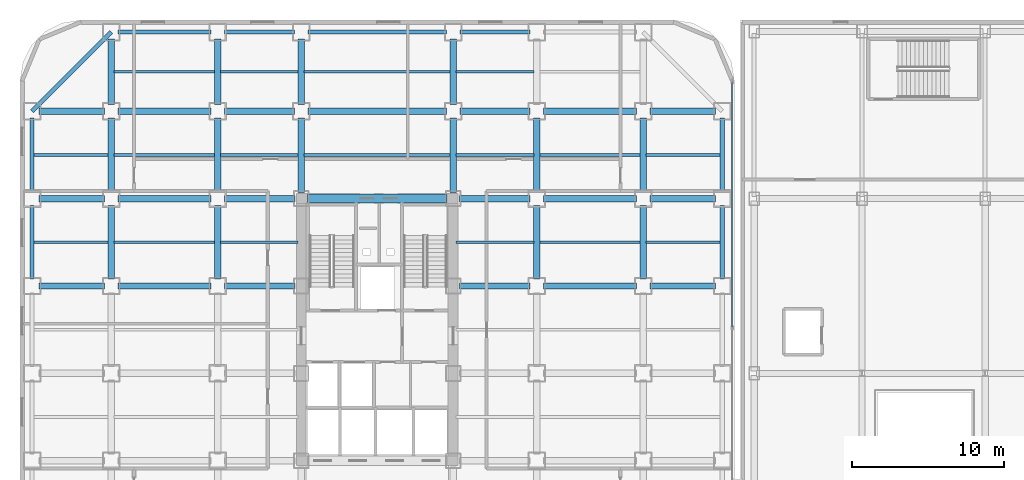
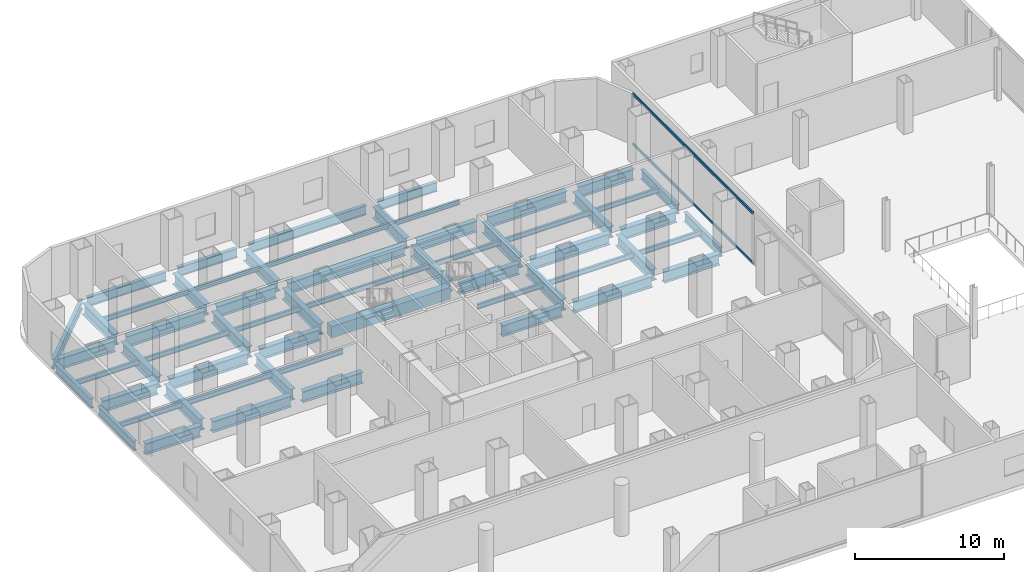
# One storey, part 13 of 26: 60 beams, 2 members, 1 element without a shape of its own.
"""IFC4 building model written with IfcOpenShell, lengths in metres."""

from ifc_helpers import new_model, si_unit, direction, frame, origin, origin_2d, place, context, subcontext, project, spatial, rectangle, hollow_rectangle, i_section, extrude, source, transform, mapped, material, layer, layer_set, material_profile, profile_set, type_object, element, aggregate, save


model = new_model("IFC4")

# Units and contexts
model_context = context("Model", 3, precision=1e-05, world=origin(), true_north=direction((0.0, 1.0)))
body_context = subcontext(model_context, "Body", "Model", "MODEL_VIEW")
ifc_project = project(units=[si_unit("LENGTHUNIT", "METRE"), si_unit("AREAUNIT", "SQUARE_METRE"), si_unit("VOLUMEUNIT", "CUBIC_METRE"), si_unit("PLANEANGLEUNIT", "RADIAN"), si_unit("MASSUNIT", "GRAM", prefix="KILO")], contexts=[model_context])

# Site, building, storey
site_placement = place(None, origin())
site = spatial("IfcSite", under=ifc_project, at=site_placement, CompositionType="ELEMENT")
building_placement = place(site_placement, origin())
building = spatial("IfcBuilding", under=site, at=building_placement, Name="Kolveth Station Tower", CompositionType="ELEMENT")
storey_placement = place(building_placement, frame((0.0, 0.0, 9.0)))
storey = spatial("IfcBuildingStorey", under=building, at=storey_placement, Name="L02", CompositionType="ELEMENT", Elevation=9.0)

# Beams
ifc_material_1 = material(Name="Steel S355", Category="steel")
ifc_material_profile_1 = material_profile(ifc_material_1, i_section(OverallWidth=0.26904296875, OverallDepth=0.77490234375, WebThickness=0.01708984375, FlangeThickness=0.0283203125, at=origin_2d()), Name="W760x220")
ifc_profile_set_1 = profile_set([ifc_material_profile_1], Name="Steel S355")
beam_type_1 = type_object("IfcBeamType", Name="Beam_SP1", PredefinedType="SPANDREL", material=ifc_profile_set_1)
shared_shape_1 = source(origin(), body_context, "Body", "SweptSolid", [
    extrude(i_section(OverallWidth=0.26904296875, OverallDepth=0.77490234375, WebThickness=0.01708984375, FlangeThickness=0.0283203125, at=origin_2d()), origin(), (0.0, 0.0, 1.0), 6.10009765625),
])
beam_1_placement = place(storey_placement, frame((6.449951171875, 39.699951171875, -0.70751953125), z_axis=(1.0, 0.0, 0.0), x_axis=(0.0, 1.0, 0.0)))
element("IfcBeam", 1, at=beam_1_placement, inside=storey, type_object=beam_type_1, Name="L02 Perimeter Spandrel BM-L02-PN-1", PredefinedType="SPANDREL", context=body_context, shape_type="MappedRepresentation", body=[
    mapped(shared_shape_1, transform((0.0, 0.0, 0.0), x_axis=(1.0, 0.0, 0.0), y_axis=(0.0, 1.0, 0.0), z_axis=(0.0, 0.0, 1.0), scale=1.0)),
])
shared_shape_2 = source(origin(), body_context, "Body", "SweptSolid", [
    extrude(i_section(OverallWidth=0.26904296875, OverallDepth=0.77490234375, WebThickness=0.01708984375, FlangeThickness=0.0283203125, at=origin_2d()), origin(), (0.0, 0.0, 1.0), 4.60009765625),
])
for number, where, z_axis, x_axis, name in (
    (2, (13.449951171875, 39.699951171875, -0.70751953125), (1.0, 0.0, 0.0), (0.0, 1.0, 0.0), "L02 Perimeter Spandrel BM-L02-PN-2"),
    (3, (28.949951171875, 39.699951171875, -0.70751953125), (1.0, 0.0, 0.0), (0.0, 1.0, 0.0), "L02 Perimeter Spandrel BM-L02-PN-4"),
):
    element("IfcBeam", number, at=place(storey_placement, frame(where, z_axis=z_axis, x_axis=x_axis)), inside=storey, type_object=beam_type_1, Name=name, PredefinedType="SPANDREL", context=body_context, shape_type="MappedRepresentation", body=[
        mapped(shared_shape_2, transform((0.0, 0.0, 0.0), x_axis=(1.0, 0.0, 0.0), y_axis=(0.0, 1.0, 0.0), z_axis=(0.0, 0.0, 1.0), scale=1.0)),
    ])
shared_shape_3 = source(origin(), body_context, "Body", "SweptSolid", [
    extrude(i_section(OverallWidth=0.26904296875, OverallDepth=0.77490234375, WebThickness=0.01708984375, FlangeThickness=0.0283203125, at=origin_2d()), origin(), (0.0, 0.0, 1.0), 9.10009765625),
])
beam_2_placement = place(storey_placement, frame((18.949951171875, 39.699951171875, -0.70751953125), z_axis=(1.0, 0.0, 0.0), x_axis=(0.0, 1.0, 0.0)))
element("IfcBeam", 4, at=beam_2_placement, inside=storey, type_object=beam_type_1, Name="L02 Perimeter Spandrel BM-L02-PN-3", PredefinedType="SPANDREL", context=body_context, shape_type="MappedRepresentation", body=[
    mapped(shared_shape_3, transform((0.0, 0.0, 0.0), x_axis=(1.0, 0.0, 0.0), y_axis=(0.0, 1.0, 0.0), z_axis=(0.0, 0.0, 1.0), scale=1.0)),
])
shared_shape_4 = source(origin(), body_context, "Body", "SweptSolid", [
    extrude(i_section(OverallWidth=0.26904296875, OverallDepth=0.77490234375, WebThickness=0.01708984375, FlangeThickness=0.0283203125, at=origin_2d()), origin(), (0.0, 0.0, 1.0), 4.85009765625),
])
for number, where, z_axis, x_axis, name in (
    (5, (0.800048828125, 23.449951171875, -0.70751953125), (0.0, 1.0, 0.0), (-1.0, 0.0, 0.0), "L02 Perimeter Spandrel BM-L02-PW-4"),
    (6, (0.800048828125, 29.199951171875, -0.70751953125), (0.0, 1.0, 0.0), (-1.0, 0.0, 0.0), "L02 Perimeter Spandrel BM-L02-PW-5"),
    (7, (46.199951171875, 23.449951171875, -0.70751953125), (0.0, 1.0, 0.0), (-1.0, 0.0, 0.0), "L02 Perimeter Spandrel BM-L02-PE-4"),
    (8, (46.199951171875, 29.199951171875, -0.70751953125), (0.0, 1.0, 0.0), (-1.0, 0.0, 0.0), "L02 Perimeter Spandrel BM-L02-PE-5"),
):
    element("IfcBeam", number, at=place(storey_placement, frame(where, z_axis=z_axis, x_axis=x_axis)), inside=storey, type_object=beam_type_1, Name=name, PredefinedType="SPANDREL", context=body_context, shape_type="MappedRepresentation", body=[
        mapped(shared_shape_4, transform((0.0, 0.0, 0.0), x_axis=(1.0, 0.0, 0.0), y_axis=(0.0, 1.0, 0.0), z_axis=(0.0, 0.0, 1.0), scale=1.0)),
    ])
shared_shape_5 = source(origin(), body_context, "Body", "SweptSolid", [
    extrude(i_section(OverallWidth=0.26904296875, OverallDepth=0.77490234375, WebThickness=0.01708984375, FlangeThickness=0.0283203125, at=origin_2d()), origin(), (0.0, 0.0, 1.0), 7.353759765625),
])
beam_3_placement = place(storey_placement, frame((6.0, 39.699951171875, -0.70751953125), z_axis=(-0.707106781187, -0.707106781187, 0.0), x_axis=(0.707106781187, -0.707106781187, 0.0)))
element("IfcBeam", 9, at=beam_3_placement, inside=storey, type_object=beam_type_1, Name="L02 Corner Edge Girder BM-L02-CNR-NW", PredefinedType="SPANDREL", context=body_context, shape_type="MappedRepresentation", body=[
    mapped(shared_shape_5, transform((0.0, 0.0, 0.0), x_axis=(1.0, 0.0, 0.0), y_axis=(0.0, 1.0, 0.0), z_axis=(0.0, 0.0, 1.0), scale=1.0)),
])
ifc_material_profile_2 = material_profile(ifc_material_1, i_section(OverallWidth=0.41796875, OverallDepth=0.912109375, WebThickness=0.019287109375, FlangeThickness=0.031982421875, at=origin_2d()), Name="W920x342")
ifc_profile_set_2 = profile_set([ifc_material_profile_2], Name="Steel S355")
beam_type_2 = type_object("IfcBeamType", Name="Beam_B1", PredefinedType="BEAM", material=ifc_profile_set_2)
shared_shape_6 = source(origin(), body_context, "Body", "SweptSolid", [
    extrude(i_section(OverallWidth=0.41796875, OverallDepth=0.912109375, WebThickness=0.019287109375, FlangeThickness=0.031982421875, at=origin_2d()), origin(), (0.0, 0.0, 1.0), 4.300048828125),
])
for number, where, z_axis, x_axis, name in (
    (10, (1.25, 23.0, -0.77587890625), (1.0, 0.0, 0.0), (0.0, 1.0, 0.0), "L02 Primary Girder BM-L02-GY230-1"),
    (11, (41.449951171875, 23.0, -0.77587890625), (1.0, 0.0, 0.0), (0.0, 1.0, 0.0), "L02 Primary Girder BM-L02-GY230-7"),
    (12, (1.25, 28.75, -0.77587890625), (1.0, 0.0, 0.0), (0.0, 1.0, 0.0), "L02 Primary Girder BM-L02-GY287-1"),
    (13, (41.449951171875, 28.75, -0.77587890625), (1.0, 0.0, 0.0), (0.0, 1.0, 0.0), "L02 Primary Girder BM-L02-GY287-7"),
    (14, (1.25, 34.5, -0.77587890625), (1.0, 0.0, 0.0), (0.0, 1.0, 0.0), "L02 Primary Girder BM-L02-GY345-1"),
    (15, (41.449951171875, 34.5, -0.77587890625), (1.0, 0.0, 0.0), (0.0, 1.0, 0.0), "L02 Primary Girder BM-L02-GY345-7"),
    (16, (6.0, 34.949951171875, -0.77587890625), (0.0, 1.0, 0.0), (-1.0, 0.0, 0.0), "L02 Primary Girder BM-L02-GX60-7"),
    (17, (13.0, 34.949951171875, -0.77587890625), (0.0, 1.0, 0.0), (-1.0, 0.0, 0.0), "L02 Primary Girder BM-L02-GX130-7"),
    (18, (18.5, 34.949951171875, -0.77587890625), (0.0, 1.0, 0.0), (-1.0, 0.0, 0.0), "L02 Primary Girder BM-L02-GX185-7"),
    (19, (28.5, 34.949951171875, -0.77587890625), (0.0, 1.0, 0.0), (-1.0, 0.0, 0.0), "L02 Primary Girder BM-L02-GX285-7"),
):
    element("IfcBeam", number, at=place(storey_placement, frame(where, z_axis=z_axis, x_axis=x_axis)), inside=storey, type_object=beam_type_2, Name=name, PredefinedType="BEAM", context=body_context, shape_type="MappedRepresentation", body=[
        mapped(shared_shape_6, transform((0.0, 0.0, 0.0), x_axis=(1.0, 0.0, 0.0), y_axis=(0.0, 1.0, 0.0), z_axis=(0.0, 0.0, 1.0), scale=1.0)),
    ])
shared_shape_7 = source(origin(), body_context, "Body", "SweptSolid", [
    extrude(i_section(OverallWidth=0.41796875, OverallDepth=0.912109375, WebThickness=0.019287109375, FlangeThickness=0.031982421875, at=origin_2d()), origin(), (0.0, 0.0, 1.0), 6.10009765625),
])
for number, where, z_axis, x_axis, name in (
    (20, (6.449951171875, 23.0, -0.77587890625), (1.0, 0.0, 0.0), (0.0, 1.0, 0.0), "L02 Primary Girder BM-L02-GY230-2"),
    (21, (34.449951171875, 23.0, -0.77587890625), (1.0, 0.0, 0.0), (0.0, 1.0, 0.0), "L02 Primary Girder BM-L02-GY230-6"),
    (22, (6.449951171875, 28.75, -0.77587890625), (1.0, 0.0, 0.0), (0.0, 1.0, 0.0), "L02 Primary Girder BM-L02-GY287-2"),
    (23, (34.449951171875, 28.75, -0.77587890625), (1.0, 0.0, 0.0), (0.0, 1.0, 0.0), "L02 Primary Girder BM-L02-GY287-6"),
    (24, (6.449951171875, 34.5, -0.77587890625), (1.0, 0.0, 0.0), (0.0, 1.0, 0.0), "L02 Primary Girder BM-L02-GY345-2"),
    (25, (34.449951171875, 34.5, -0.77587890625), (1.0, 0.0, 0.0), (0.0, 1.0, 0.0), "L02 Primary Girder BM-L02-GY345-6"),
):
    element("IfcBeam", number, at=place(storey_placement, frame(where, z_axis=z_axis, x_axis=x_axis)), inside=storey, type_object=beam_type_2, Name=name, PredefinedType="BEAM", context=body_context, shape_type="MappedRepresentation", body=[
        mapped(shared_shape_7, transform((0.0, 0.0, 0.0), x_axis=(1.0, 0.0, 0.0), y_axis=(0.0, 1.0, 0.0), z_axis=(0.0, 0.0, 1.0), scale=1.0)),
    ])
shared_shape_8 = source(origin(), body_context, "Body", "SweptSolid", [
    extrude(i_section(OverallWidth=0.41796875, OverallDepth=0.912109375, WebThickness=0.019287109375, FlangeThickness=0.031982421875, at=origin_2d()), origin(), (0.0, 0.0, 1.0), 4.60009765625),
])
for number, where, z_axis, x_axis, name in (
    (26, (13.449951171875, 34.5, -0.77587890625), (1.0, 0.0, 0.0), (0.0, 1.0, 0.0), "L02 Primary Girder BM-L02-GY345-3"),
    (27, (28.949951171875, 34.5, -0.77587890625), (1.0, 0.0, 0.0), (0.0, 1.0, 0.0), "L02 Primary Girder BM-L02-GY345-5"),
):
    element("IfcBeam", number, at=place(storey_placement, frame(where, z_axis=z_axis, x_axis=x_axis)), inside=storey, type_object=beam_type_2, Name=name, PredefinedType="BEAM", context=body_context, shape_type="MappedRepresentation", body=[
        mapped(shared_shape_8, transform((0.0, 0.0, 0.0), x_axis=(1.0, 0.0, 0.0), y_axis=(0.0, 1.0, 0.0), z_axis=(0.0, 0.0, 1.0), scale=1.0)),
    ])
shared_shape_9 = source(origin(), body_context, "Body", "SweptSolid", [
    extrude(i_section(OverallWidth=0.41796875, OverallDepth=0.912109375, WebThickness=0.019287109375, FlangeThickness=0.031982421875, at=origin_2d()), origin(), (0.0, 0.0, 1.0), 9.10009765625),
])
beam_4_placement = place(storey_placement, frame((18.949951171875, 34.5, -0.77587890625), z_axis=(1.0, 0.0, 0.0), x_axis=(0.0, 1.0, 0.0)))
element("IfcBeam", 28, at=beam_4_placement, inside=storey, type_object=beam_type_2, Name="L02 Primary Girder BM-L02-GY345-4", PredefinedType="BEAM", context=body_context, shape_type="MappedRepresentation", body=[
    mapped(shared_shape_9, transform((0.0, 0.0, 0.0), x_axis=(1.0, 0.0, 0.0), y_axis=(0.0, 1.0, 0.0), z_axis=(0.0, 0.0, 1.0), scale=1.0)),
])
shared_shape_10 = source(origin(), body_context, "Body", "SweptSolid", [
    extrude(i_section(OverallWidth=0.41796875, OverallDepth=0.912109375, WebThickness=0.019287109375, FlangeThickness=0.031982421875, at=origin_2d()), origin(), (0.0, 0.0, 1.0), 4.650146484375),
])
for number, where, z_axis, x_axis, name in (
    (29, (13.449951171875, 23.0, -0.77587890625), (1.0, 0.0, 0.0), (0.0, 1.0, 0.0), "L02 Primary Girder BM-L02-GY230-3"),
    (30, (28.89990234375, 23.0, -0.77587890625), (1.0, 0.0, 0.0), (0.0, 1.0, 0.0), "L02 Primary Girder BM-L02-GY230-5"),
    (31, (13.449951171875, 28.75, -0.77587890625), (1.0, 0.0, 0.0), (0.0, 1.0, 0.0), "L02 Primary Girder BM-L02-GY287-3"),
    (32, (28.89990234375, 28.75, -0.77587890625), (1.0, 0.0, 0.0), (0.0, 1.0, 0.0), "L02 Primary Girder BM-L02-GY287-5"),
):
    element("IfcBeam", number, at=place(storey_placement, frame(where, z_axis=z_axis, x_axis=x_axis)), inside=storey, type_object=beam_type_2, Name=name, PredefinedType="BEAM", context=body_context, shape_type="MappedRepresentation", body=[
        mapped(shared_shape_10, transform((0.0, 0.0, 0.0), x_axis=(1.0, 0.0, 0.0), y_axis=(0.0, 1.0, 0.0), z_axis=(0.0, 0.0, 1.0), scale=1.0)),
    ])
ifc_material_2 = material(Name="Concrete C60/75", Category="concrete")
ifc_material_profile_3 = material_profile(ifc_material_2, rectangle(XDim=0.60009765625, YDim=0.949951171875, at=origin_2d()), Name="RC-600x950")
ifc_profile_set_3 = profile_set([ifc_material_profile_3], Name="Concrete C60/75")
beam_type_3 = type_object("IfcBeamType", Name="Beam_CB1", PredefinedType="BEAM", material=ifc_profile_set_3)
shared_shape_11 = source(origin(), body_context, "Body", "SweptSolid", [
    extrude(rectangle(XDim=0.60009765625, YDim=0.949951171875, at=origin_2d()), origin(), (0.0, 0.0, 1.0), 9.2001953125),
])
beam_5_placement = place(storey_placement, frame((18.89990234375, 28.75, -0.794921875), z_axis=(1.0, 0.0, 0.0), x_axis=(0.0, 1.0, 0.0)))
element("IfcBeam", 33, at=beam_5_placement, inside=storey, type_object=beam_type_3, Name="L02 Core Coupling Beam BM-L02-CB-Y287", PredefinedType="BEAM", context=body_context, shape_type="MappedRepresentation", body=[
    mapped(shared_shape_11, transform((0.0, 0.0, 0.0), x_axis=(1.0, 0.0, 0.0), y_axis=(0.0, 1.0, 0.0), z_axis=(0.0, 0.0, 1.0), scale=1.0)),
])
shared_shape_12 = source(origin(), body_context, "Body", "SweptSolid", [
    extrude(i_section(OverallWidth=0.41796875, OverallDepth=0.912109375, WebThickness=0.019287109375, FlangeThickness=0.031982421875, at=origin_2d()), origin(), (0.0, 0.0, 1.0), 4.85009765625),
])
for number, where, z_axis, x_axis, name in (
    (34, (6.0, 23.449951171875, -0.77587890625), (0.0, 1.0, 0.0), (-1.0, 0.0, 0.0), "L02 Primary Girder BM-L02-GX60-5"),
    (35, (6.0, 29.199951171875, -0.77587890625), (0.0, 1.0, 0.0), (-1.0, 0.0, 0.0), "L02 Primary Girder BM-L02-GX60-6"),
    (36, (13.0, 23.449951171875, -0.77587890625), (0.0, 1.0, 0.0), (-1.0, 0.0, 0.0), "L02 Primary Girder BM-L02-GX130-5"),
    (37, (13.0, 29.199951171875, -0.77587890625), (0.0, 1.0, 0.0), (-1.0, 0.0, 0.0), "L02 Primary Girder BM-L02-GX130-6"),
    (38, (34.0, 23.449951171875, -0.77587890625), (0.0, 1.0, 0.0), (-1.0, 0.0, 0.0), "L02 Primary Girder BM-L02-GX340-5"),
    (39, (34.0, 29.199951171875, -0.77587890625), (0.0, 1.0, 0.0), (-1.0, 0.0, 0.0), "L02 Primary Girder BM-L02-GX340-6"),
    (40, (41.0, 23.449951171875, -0.77587890625), (0.0, 1.0, 0.0), (-1.0, 0.0, 0.0), "L02 Primary Girder BM-L02-GX410-5"),
    (41, (41.0, 29.199951171875, -0.77587890625), (0.0, 1.0, 0.0), (-1.0, 0.0, 0.0), "L02 Primary Girder BM-L02-GX410-6"),
):
    element("IfcBeam", number, at=place(storey_placement, frame(where, z_axis=z_axis, x_axis=x_axis)), inside=storey, type_object=beam_type_2, Name=name, PredefinedType="BEAM", context=body_context, shape_type="MappedRepresentation", body=[
        mapped(shared_shape_12, transform((0.0, 0.0, 0.0), x_axis=(1.0, 0.0, 0.0), y_axis=(0.0, 1.0, 0.0), z_axis=(0.0, 0.0, 1.0), scale=1.0)),
    ])
shared_shape_13 = source(origin(), body_context, "Body", "SweptSolid", [
    extrude(i_section(OverallWidth=0.41796875, OverallDepth=0.912109375, WebThickness=0.019287109375, FlangeThickness=0.031982421875, at=origin_2d()), origin(), (0.0, 0.0, 1.0), 4.900146484375),
])
for number, where, z_axis, x_axis, name in (
    (42, (18.5, 29.14990234375, -0.77587890625), (0.0, 1.0, 0.0), (-1.0, 0.0, 0.0), "L02 Primary Girder BM-L02-GX185-6"),
    (43, (28.5, 29.14990234375, -0.77587890625), (0.0, 1.0, 0.0), (-1.0, 0.0, 0.0), "L02 Primary Girder BM-L02-GX285-6"),
):
    element("IfcBeam", number, at=place(storey_placement, frame(where, z_axis=z_axis, x_axis=x_axis)), inside=storey, type_object=beam_type_2, Name=name, PredefinedType="BEAM", context=body_context, shape_type="MappedRepresentation", body=[
        mapped(shared_shape_13, transform((0.0, 0.0, 0.0), x_axis=(1.0, 0.0, 0.0), y_axis=(0.0, 1.0, 0.0), z_axis=(0.0, 0.0, 1.0), scale=1.0)),
    ])
ifc_material_profile_4 = material_profile(ifc_material_1, i_section(OverallWidth=0.177978515625, OverallDepth=0.406982421875, WebThickness=0.0078125, FlangeThickness=0.0126953125, at=origin_2d()), Name="W410x60")
ifc_profile_set_4 = profile_set([ifc_material_profile_4], Name="Steel S355")
beam_type_4 = type_object("IfcBeamType", Name="Beam_J1", PredefinedType="JOIST", material=ifc_profile_set_4)
shared_shape_14 = source(origin(), body_context, "Body", "SweptSolid", [
    extrude(i_section(OverallWidth=0.177978515625, OverallDepth=0.406982421875, WebThickness=0.0078125, FlangeThickness=0.0126953125, at=origin_2d()), origin(), (0.0, 0.0, 1.0), 4.872314453125),
])
for number, where, z_axis, x_axis, name in (
    (44, (0.9326171875, 25.875, -0.5234375), (1.0, 0.0, 0.0), (0.0, 1.0, 0.0), "L02 Secondary Joist JST-L02-1-5"),
    (45, (0.9326171875, 31.625, -0.5234375), (1.0, 0.0, 0.0), (0.0, 1.0, 0.0), "L02 Secondary Joist JST-L02-1-6"),
    (46, (41.195068359375, 25.875, -0.5234375), (1.0, 0.0, 0.0), (0.0, 1.0, 0.0), "L02 Secondary Joist JST-L02-7-5"),
    (47, (41.195068359375, 31.625, -0.5234375), (1.0, 0.0, 0.0), (0.0, 1.0, 0.0), "L02 Secondary Joist JST-L02-7-6"),
):
    element("IfcBeam", number, at=place(storey_placement, frame(where, z_axis=z_axis, x_axis=x_axis)), inside=storey, type_object=beam_type_4, Name=name, PredefinedType="JOIST", context=body_context, shape_type="MappedRepresentation", body=[
        mapped(shared_shape_14, transform((0.0, 0.0, 0.0), x_axis=(1.0, 0.0, 0.0), y_axis=(0.0, 1.0, 0.0), z_axis=(0.0, 0.0, 1.0), scale=1.0)),
    ])
shared_shape_15 = source(origin(), body_context, "Body", "SweptSolid", [
    extrude(i_section(OverallWidth=0.177978515625, OverallDepth=0.406982421875, WebThickness=0.0078125, FlangeThickness=0.0126953125, at=origin_2d()), origin(), (0.0, 0.0, 1.0), 6.60986328125),
])
for number, where, z_axis, x_axis, name in (
    (48, (6.195068359375, 25.875, -0.5234375), (1.0, 0.0, 0.0), (0.0, 1.0, 0.0), "L02 Secondary Joist JST-L02-2-5"),
    (49, (6.195068359375, 31.625, -0.5234375), (1.0, 0.0, 0.0), (0.0, 1.0, 0.0), "L02 Secondary Joist JST-L02-2-6"),
    (50, (6.195068359375, 37.10009765625, -0.5234375), (1.0, 0.0, 0.0), (0.0, 1.0, 0.0), "L02 Secondary Joist JST-L02-2-7"),
    (51, (34.195068359375, 25.875, -0.5234375), (1.0, 0.0, 0.0), (0.0, 1.0, 0.0), "L02 Secondary Joist JST-L02-6-5"),
    (52, (34.195068359375, 31.625, -0.5234375), (1.0, 0.0, 0.0), (0.0, 1.0, 0.0), "L02 Secondary Joist JST-L02-6-6"),
):
    element("IfcBeam", number, at=place(storey_placement, frame(where, z_axis=z_axis, x_axis=x_axis)), inside=storey, type_object=beam_type_4, Name=name, PredefinedType="JOIST", context=body_context, shape_type="MappedRepresentation", body=[
        mapped(shared_shape_15, transform((0.0, 0.0, 0.0), x_axis=(1.0, 0.0, 0.0), y_axis=(0.0, 1.0, 0.0), z_axis=(0.0, 0.0, 1.0), scale=1.0)),
    ])
shared_shape_16 = source(origin(), body_context, "Body", "SweptSolid", [
    extrude(i_section(OverallWidth=0.177978515625, OverallDepth=0.406982421875, WebThickness=0.0078125, FlangeThickness=0.0126953125, at=origin_2d()), origin(), (0.0, 0.0, 1.0), 5.10986328125),
])
for number, where, z_axis, x_axis, name in (
    (53, (13.195068359375, 25.875, -0.5234375), (1.0, 0.0, 0.0), (0.0, 1.0, 0.0), "L02 Secondary Joist JST-L02-3-5"),
    (54, (13.195068359375, 31.625, -0.5234375), (1.0, 0.0, 0.0), (0.0, 1.0, 0.0), "L02 Secondary Joist JST-L02-3-6"),
    (55, (13.195068359375, 37.10009765625, -0.5234375), (1.0, 0.0, 0.0), (0.0, 1.0, 0.0), "L02 Secondary Joist JST-L02-3-7"),
    (56, (28.695068359375, 25.875, -0.5234375), (1.0, 0.0, 0.0), (0.0, 1.0, 0.0), "L02 Secondary Joist JST-L02-5-5"),
    (57, (28.695068359375, 31.625, -0.5234375), (1.0, 0.0, 0.0), (0.0, 1.0, 0.0), "L02 Secondary Joist JST-L02-5-6"),
    (58, (28.695068359375, 37.10009765625, -0.5234375), (1.0, 0.0, 0.0), (0.0, 1.0, 0.0), "L02 Secondary Joist JST-L02-5-7"),
):
    element("IfcBeam", number, at=place(storey_placement, frame(where, z_axis=z_axis, x_axis=x_axis)), inside=storey, type_object=beam_type_4, Name=name, PredefinedType="JOIST", context=body_context, shape_type="MappedRepresentation", body=[
        mapped(shared_shape_16, transform((0.0, 0.0, 0.0), x_axis=(1.0, 0.0, 0.0), y_axis=(0.0, 1.0, 0.0), z_axis=(0.0, 0.0, 1.0), scale=1.0)),
    ])
shared_shape_17 = source(origin(), body_context, "Body", "SweptSolid", [
    extrude(i_section(OverallWidth=0.177978515625, OverallDepth=0.406982421875, WebThickness=0.0078125, FlangeThickness=0.0126953125, at=origin_2d()), origin(), (0.0, 0.0, 1.0), 9.60986328125),
])
for number, where, z_axis, x_axis, name in (
    (59, (18.695068359375, 31.625, -0.5234375), (1.0, 0.0, 0.0), (0.0, 1.0, 0.0), "L02 Secondary Joist JST-L02-4-6"),
    (60, (18.695068359375, 37.10009765625, -0.5234375), (1.0, 0.0, 0.0), (0.0, 1.0, 0.0), "L02 Secondary Joist JST-L02-4-7"),
):
    element("IfcBeam", number, at=place(storey_placement, frame(where, z_axis=z_axis, x_axis=x_axis)), inside=storey, type_object=beam_type_4, Name=name, PredefinedType="JOIST", context=body_context, shape_type="MappedRepresentation", body=[
        mapped(shared_shape_17, transform((0.0, 0.0, 0.0), x_axis=(1.0, 0.0, 0.0), y_axis=(0.0, 1.0, 0.0), z_axis=(0.0, 0.0, 1.0), scale=1.0)),
    ])

# Curtain wall, members
ifc_material_3 = material(Name="Black anodized aluminium 6063-T6 and clear station glass", Category="aluminium")
ifc_layer = layer(ifc_material_3, 0.239990234375)
ifc_layer_set = layer_set([ifc_layer], Name="Black anodized aluminium 6063-T6 and clear station glass")
curtain_wall_type = type_object("IfcCurtainWallType", Name="CurtainWall_CW-ST", PredefinedType="NOTDEFINED", material=ifc_layer_set)
curtain_wall_placement = place(storey_placement, origin())
curtain_wall = element("IfcCurtainWall", 61, at=curtain_wall_placement, inside=storey, type_object=curtain_wall_type, Name="L02 Tower Podium East Storefront Curtain Wall", PredefinedType="NOTDEFINED")
ifc_material_4 = material(Name="Black anodized aluminium 6063-T6", Category="aluminium")
ifc_material_profile_5 = material_profile(ifc_material_4, hollow_rectangle(XDim=0.094970703125, YDim=0.219970703125, WallThickness=0.0048828125, at=origin_2d()), Name="ALU-95x220x5")
ifc_profile_set_5 = profile_set([ifc_material_profile_5], Name="Black anodized aluminium 6063-T6")
member_type = type_object("IfcMemberType", Name="Transom_TR-ST", PredefinedType="USERDEFINED", material=ifc_profile_set_5)
shared_shape_18 = source(origin(), body_context, "Body", "SweptSolid", [
    extrude(hollow_rectangle(XDim=0.094970703125, YDim=0.219970703125, WallThickness=0.0048828125, at=origin_2d()), origin(), (0.0, 0.0, 1.0), 16.099853515625),
])
member_1_placement = place(storey_placement, frame((46.860107421875, 20.300048828125, 0.047607421875), z_axis=(0.0, 1.0, 0.0), x_axis=(-1.0, 0.0, 0.0)))
member_1 = element("IfcMember", 62, at=member_1_placement, type_object=member_type, Name="CW-ST transom 2.1", ObjectType="TRANSOM", PredefinedType="USERDEFINED", context=body_context, shape_type="MappedRepresentation", body=[
    mapped(shared_shape_18, transform((0.0, 0.0, 0.0), x_axis=(1.0, 0.0, 0.0), y_axis=(0.0, 1.0, 0.0), z_axis=(0.0, 0.0, 1.0), scale=1.0)),
])
member_2_placement = place(storey_placement, frame((46.860107421875, 20.300048828125, 4.132568359375), z_axis=(0.0, 1.0, 0.0), x_axis=(-1.0, 0.0, 0.0)))
member_2 = element("IfcMember", 63, at=member_2_placement, type_object=member_type, Name="CW-ST transom 2.2", ObjectType="TRANSOM", PredefinedType="USERDEFINED", context=body_context, shape_type="MappedRepresentation", body=[
    mapped(shared_shape_18, transform((0.0, 0.0, 0.0), x_axis=(1.0, 0.0, 0.0), y_axis=(0.0, 1.0, 0.0), z_axis=(0.0, 0.0, 1.0), scale=1.0)),
])
aggregate(curtain_wall, [member_1, member_2])

save(model, "model.ifc")
